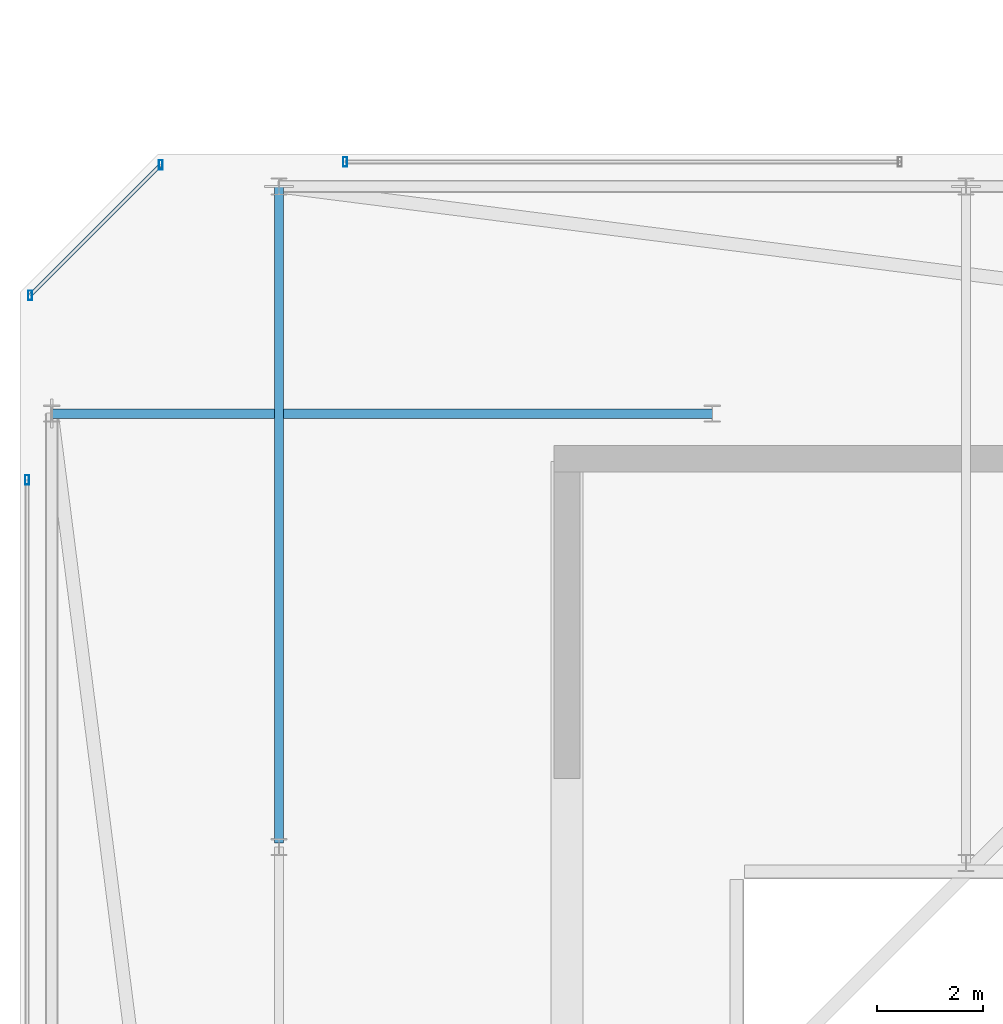
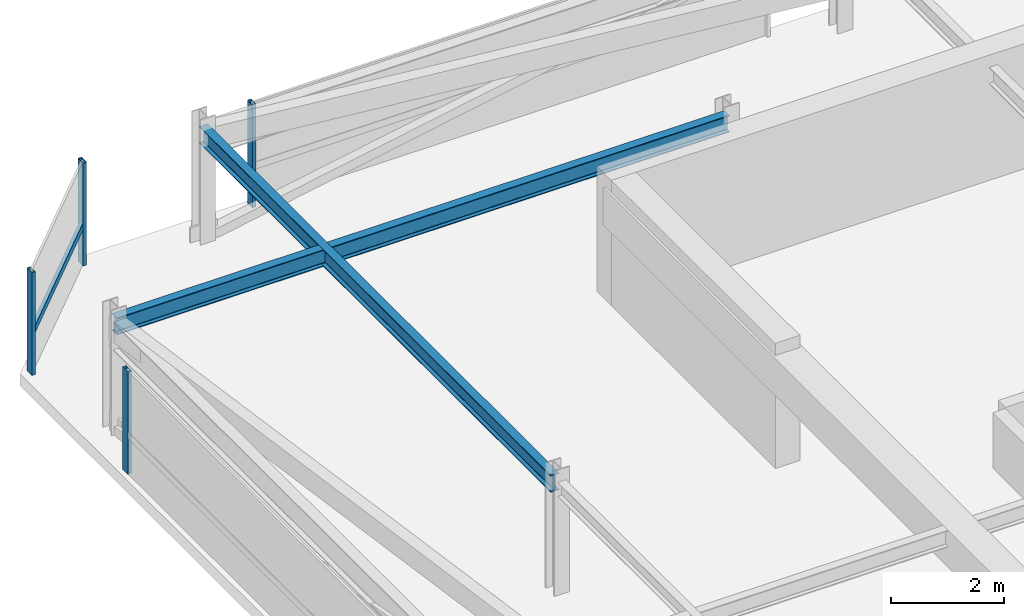
# One storey, part 24 of 44: 5 members, 2 beams, 3 elements without a shape of their own.
"""IFC4 building model written with IfcOpenShell, lengths in metres."""

from ifc_helpers import new_model, si_unit, direction, frame, origin, origin_2d, place, context, subcontext, project, spatial, hollow_rectangle, i_section, extrude, material, material_profile, profile_set, type_object, element, aggregate, save


model = new_model("IFC4")

# Units and contexts
model_context = context("Model", 3, precision=1e-05, world=origin(), true_north=direction((0.0, 1.0)))
body_context = subcontext(model_context, "Body", "Model", "MODEL_VIEW")
ifc_project = project(units=[si_unit("LENGTHUNIT", "METRE"), si_unit("AREAUNIT", "SQUARE_METRE"), si_unit("VOLUMEUNIT", "CUBIC_METRE"), si_unit("PLANEANGLEUNIT", "RADIAN"), si_unit("MASSUNIT", "GRAM", prefix="KILO")], contexts=[model_context])

# Site, building, storey
site_placement = place(None, origin())
site = spatial("IfcSite", under=ifc_project, at=site_placement, CompositionType="ELEMENT")
building_placement = place(site_placement, origin())
building = spatial("IfcBuilding", under=site, at=building_placement, Name="Thornwick Lancets Civic Towers", CompositionType="ELEMENT")
storey_placement = place(building_placement, frame((0.0, 0.0, 292.199951171875)))
storey = spatial("IfcBuildingStorey", under=building, at=storey_placement, Name="C05", CompositionType="ELEMENT", Elevation=292.199951171875)

# Beams
ifc_material_1 = material(Name="Steel S355JR", Category="steel")
ifc_material_profile_1 = material_profile(ifc_material_1, i_section(OverallWidth=0.173095703125, OverallDepth=0.36328125, WebThickness=0.009033203125, FlangeThickness=0.015625, FilletRadius=0.01025390625, at=origin_2d()), Name="UKB 356x171x67")
ifc_profile_set_1 = profile_set([ifc_material_profile_1], Name="Steel S355JR")
beam_type = type_object("IfcBeamType", Name="BM_JOIST_356_67", PredefinedType="JOIST", material=ifc_profile_set_1)
beam_1_placement = place(storey_placement, frame((12.5, 31.8798828125, 2.25830078125), z_axis=(0.0, 1.0, 0.0), x_axis=(-1.0, 0.0, 0.0)))
element("IfcBeam", 1, at=beam_1_placement, inside=storey, type_object=beam_type, Name="BM-RADIN-C05-A07", PredefinedType="JOIST", context=body_context, shape_type="SweptSolid", body=[
    extrude(i_section(OverallWidth=0.173095703125, OverallDepth=0.36328125, WebThickness=0.009033203125, FlangeThickness=0.015625, FilletRadius=0.01025390625, at=origin_2d()), origin(), (0.0, 0.0, 1.0), 12.420166015625),
])
beam_2_placement = place(storey_placement, frame((20.699951171875, 40.0, 2.25830078125), z_axis=(-1.0, 0.0, 0.0), x_axis=(0.0, -1.0, 0.0)))
element("IfcBeam", 2, at=beam_2_placement, inside=storey, type_object=beam_type, Name="BM-RADIN-C05-A12", PredefinedType="JOIST", context=body_context, shape_type="SweptSolid", body=[
    extrude(i_section(OverallWidth=0.173095703125, OverallDepth=0.36328125, WebThickness=0.009033203125, FlangeThickness=0.015625, FilletRadius=0.01025390625, at=origin_2d()), origin(), (0.0, 0.0, 1.0), 12.5),
])

# Curtain wall, member
ifc_material_2 = material(Name="Crown ring acoustic-louvre and glazing screen wall", Category="glass")
curtain_wall_type = type_object("IfcCurtainWallType", Name="CW_SYS_07", PredefinedType="NOTDEFINED", material=ifc_material_2)
curtain_wall_1_placement = place(storey_placement, origin())
curtain_wall_1 = element("IfcCurtainWall", 3, at=curtain_wall_1_placement, inside=storey, type_object=curtain_wall_type, Name="C05 Curtain Wall CW-C05-A-E4-S3", PredefinedType="NOTDEFINED")
ifc_material_3 = material(Name="Thermally broken bronze aluminium S355", Category="steel")
ifc_material_profile_2 = material_profile(ifc_material_3, hollow_rectangle(XDim=0.074951171875, YDim=0.179931640625, WallThickness=0.006103515625, at=origin_2d()), Name="RHS 180x75x6")
ifc_profile_set_2 = profile_set([ifc_material_profile_2], Name="Thermally broken bronze aluminium S355")
member_type_1 = type_object("IfcMemberType", Name="CW_MUL_180", PredefinedType="MULLION", material=ifc_profile_set_2)
member_1_placement = place(storey_placement, frame((13.75, 44.7646484375, 0.0), z_axis=(0.0, 0.0, 1.0), x_axis=(1.0, 0.0, 0.0)))
member_1 = element("IfcMember", 4, at=member_1_placement, type_object=member_type_1, Name="CW-C05-A-E4-S3 Mullion 1", PredefinedType="MULLION", context=body_context, shape_type="SweptSolid", body=[
    extrude(hollow_rectangle(XDim=0.074951171875, YDim=0.179931640625, WallThickness=0.006103515625, at=origin_2d()), origin(), (0.0, 0.0, 1.0), 2.219970703125),
])
aggregate(curtain_wall_1, [member_1])

# Curtain wall, members
curtain_wall_2_placement = place(storey_placement, origin())
curtain_wall_2 = element("IfcCurtainWall", 5, at=curtain_wall_2_placement, inside=storey, type_object=curtain_wall_type, Name="C05 Curtain Wall CW-C05-A-E5", PredefinedType="NOTDEFINED")
member_2_placement = place(storey_placement, frame((10.261962890625, 44.7080078125, 0.0), z_axis=(0.0, 0.0, 1.0), x_axis=(1.0, 0.0, 0.0)))
member_2 = element("IfcMember", 6, at=member_2_placement, type_object=member_type_1, Name="CW-C05-A-E5 Mullion 0", PredefinedType="MULLION", context=body_context, shape_type="SweptSolid", body=[
    extrude(hollow_rectangle(XDim=0.074951171875, YDim=0.179931640625, WallThickness=0.006103515625, at=origin_2d()), origin(), (0.0, 0.0, 1.0), 2.219970703125),
])
member_3_placement = place(storey_placement, frame((7.7919921875, 42.238037109375, 0.0), z_axis=(0.0, 0.0, 1.0), x_axis=(1.0, 0.0, 0.0)))
member_3 = element("IfcMember", 7, at=member_3_placement, type_object=member_type_1, Name="CW-C05-A-E5 Mullion 1", PredefinedType="MULLION", context=body_context, shape_type="SweptSolid", body=[
    extrude(hollow_rectangle(XDim=0.074951171875, YDim=0.179931640625, WallThickness=0.006103515625, at=origin_2d()), origin(), (0.0, 0.0, 1.0), 2.219970703125),
])

# Curtain wall, member
curtain_wall_3_placement = place(storey_placement, origin())
curtain_wall_3 = element("IfcCurtainWall", 8, at=curtain_wall_3_placement, inside=storey, type_object=curtain_wall_type, Name="C05 Curtain Wall CW-C05-A-E6-S1", PredefinedType="NOTDEFINED")
member_4_placement = place(storey_placement, frame((7.7353515625, 38.75, 0.0), z_axis=(0.0, 0.0, 1.0), x_axis=(1.0, 0.0, 0.0)))
member_4 = element("IfcMember", 9, at=member_4_placement, type_object=member_type_1, Name="CW-C05-A-E6-S1 Mullion 0", PredefinedType="MULLION", context=body_context, shape_type="SweptSolid", body=[
    extrude(hollow_rectangle(XDim=0.074951171875, YDim=0.179931640625, WallThickness=0.006103515625, at=origin_2d()), origin(), (0.0, 0.0, 1.0), 2.219970703125),
])
aggregate(curtain_wall_3, [member_4])

# Member
ifc_material_profile_3 = material_profile(ifc_material_3, hollow_rectangle(XDim=0.074951171875, YDim=0.14990234375, WallThickness=0.0048828125, at=origin_2d()), Name="RHS 150x75x5")
ifc_profile_set_3 = profile_set([ifc_material_profile_3], Name="Thermally broken bronze aluminium S355")
member_type_2 = type_object("IfcMemberType", Name="CW_TRN_150", PredefinedType="USERDEFINED", material=ifc_profile_set_3)
member_5_placement = place(storey_placement, frame((10.247802734375, 44.69384765625, 0.85009765625), z_axis=(-0.707106781187, -0.707106781187, 0.0), x_axis=(0.707106781187, -0.707106781187, 0.0)))
member_5 = element("IfcMember", 10, at=member_5_placement, type_object=member_type_2, Name="CW-C05-A-E5 Transom 0", ObjectType="TRANSOM", PredefinedType="USERDEFINED", context=body_context, shape_type="SweptSolid", body=[
    extrude(hollow_rectangle(XDim=0.074951171875, YDim=0.14990234375, WallThickness=0.0048828125, at=origin_2d()), origin(), (0.0, 0.0, 1.0), 3.453125),
])

aggregate(curtain_wall_2, [member_2, member_3, member_5])

save(model, "model.ifc")
